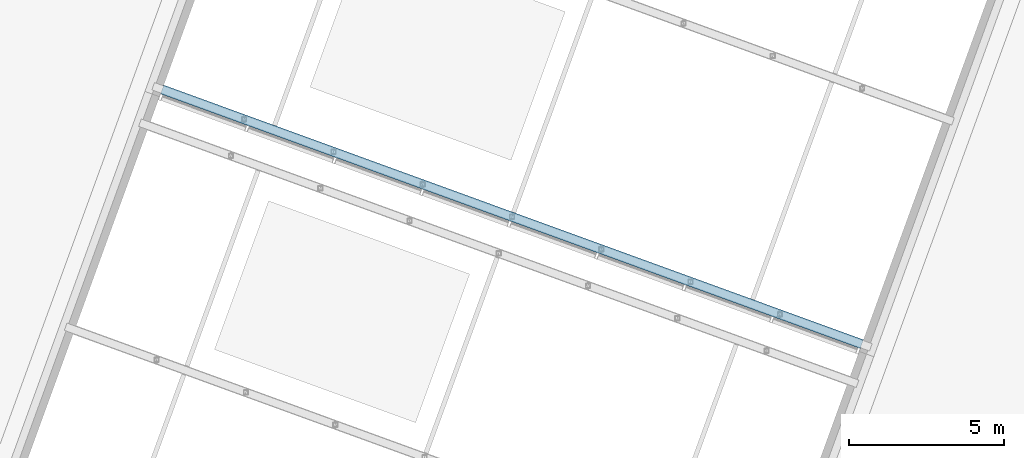
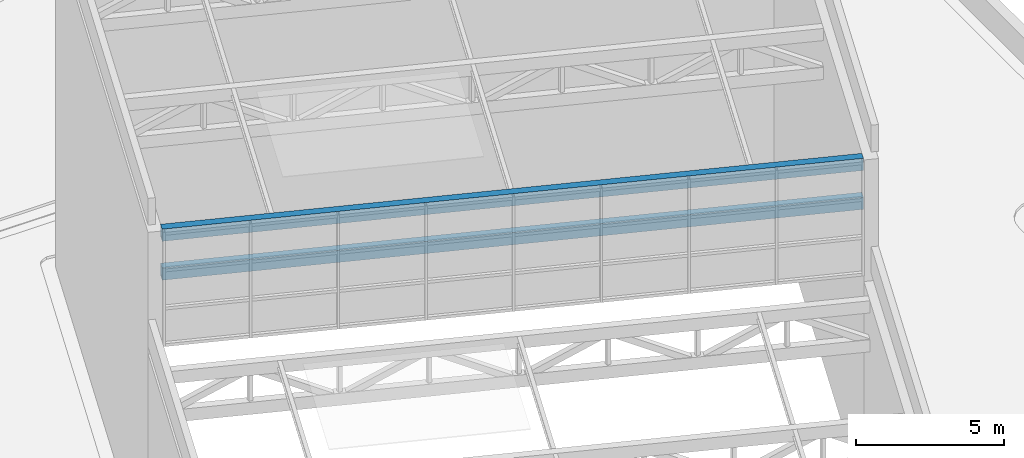
# One storey, part 36 of 72: 2 members.
"""IFC4 building model written with IfcOpenShell, lengths in metres."""

from ifc_helpers import new_model, si_unit, direction, frame, origin, origin_2d, place, context, subcontext, project, spatial, hollow_rectangle, extrude, material, material_profile, profile_set, type_object, element, save


model = new_model("IFC4")

# Units and contexts
model_context = context("Model", 3, precision=1e-05, world=origin(), true_north=direction((0.0, 1.0)))
body_context = subcontext(model_context, "Body", "Model", "MODEL_VIEW")
ifc_project = project(units=[si_unit("LENGTHUNIT", "METRE"), si_unit("AREAUNIT", "SQUARE_METRE"), si_unit("VOLUMEUNIT", "CUBIC_METRE"), si_unit("PLANEANGLEUNIT", "RADIAN"), si_unit("MASSUNIT", "GRAM", prefix="KILO")], contexts=[model_context])

# Site, building, storey
site_placement = place(None, origin())
site = spatial("IfcSite", under=ifc_project, at=site_placement, CompositionType="ELEMENT")
building_placement = place(site_placement, origin())
building = spatial("IfcBuilding", under=site, at=building_placement, Name="Nzadi Deep Aquarium and Research Tower", CompositionType="ELEMENT")
storey_placement = place(building_placement, frame((0.0, 0.0, 31.89990234375)))
storey = spatial("IfcBuildingStorey", under=building, at=storey_placement, Name="L05", CompositionType="ELEMENT", Elevation=31.89990234375)

# Members
ifc_material = material(Name="Steel S355", Category="steel")
ifc_material_profile = material_profile(ifc_material, hollow_rectangle(XDim=0.300048828125, YDim=0.5, WallThickness=0.01611328125, at=origin_2d()))
ifc_profile_set = profile_set([ifc_material_profile], Name="Steel S355")
member_type = type_object("IfcMemberType", Name="RHS 500x300x16 chord", PredefinedType="CHORD", material=ifc_profile_set)
for number, where, z_axis, x_axis, name in (
    (1, (17.609130859375, 74.5390625, 13.550048828125), (0.939692994673, -0.342019116079, 0.0), (0.342019116079, 0.939692994673, 0.0), "MB-PR-R2-T1-TOP"),
    (2, (17.609130859375, 74.5390625, 11.9501953125), (0.939692994673, -0.342019116079, 0.0), (0.342019116079, 0.939692994673, 0.0), "MB-PR-R2-T1-BOT"),
):
    element("IfcMember", number, at=place(storey_placement, frame(where, z_axis=z_axis, x_axis=x_axis)), inside=storey, type_object=member_type, Name=name, PredefinedType="CHORD", context=body_context, shape_type="SweptSolid", body=[
        extrude(hollow_rectangle(XDim=0.300048828125, YDim=0.5, WallThickness=0.01611328125, at=origin_2d()), origin(), (0.0, 0.0, 1.0), 24.0),
    ])

save(model, "model.ifc")
